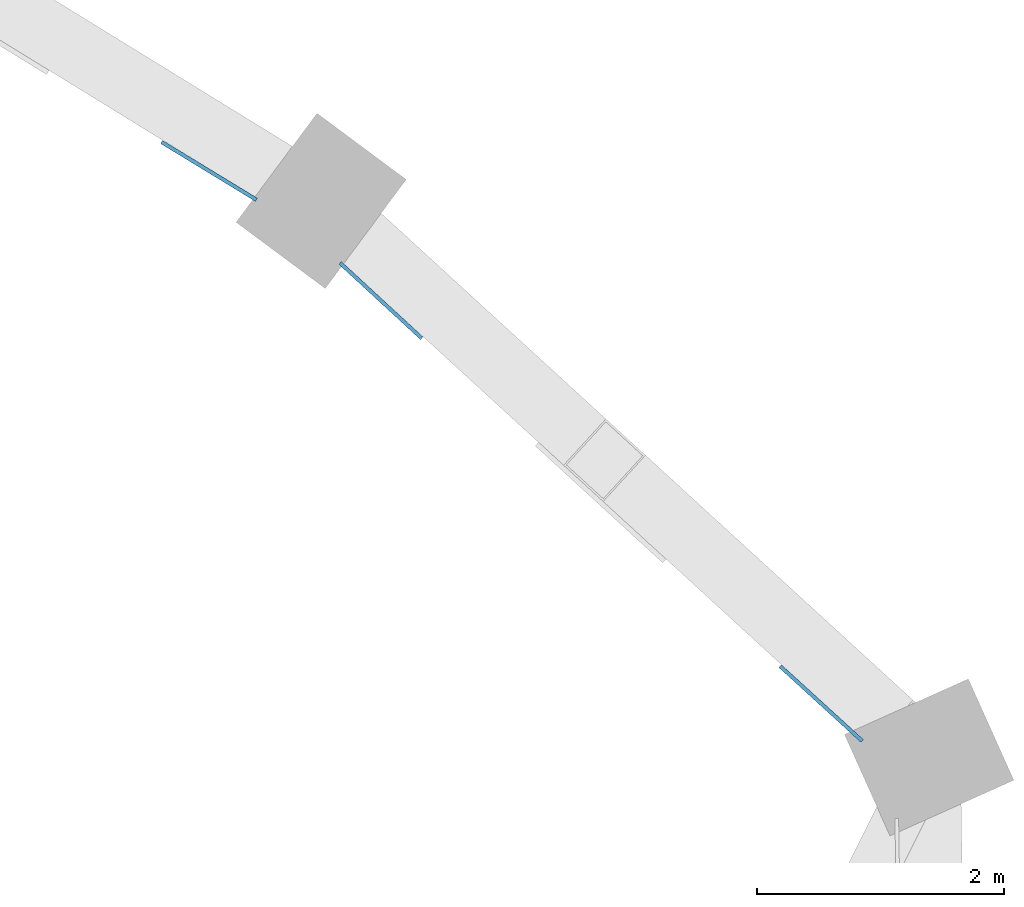
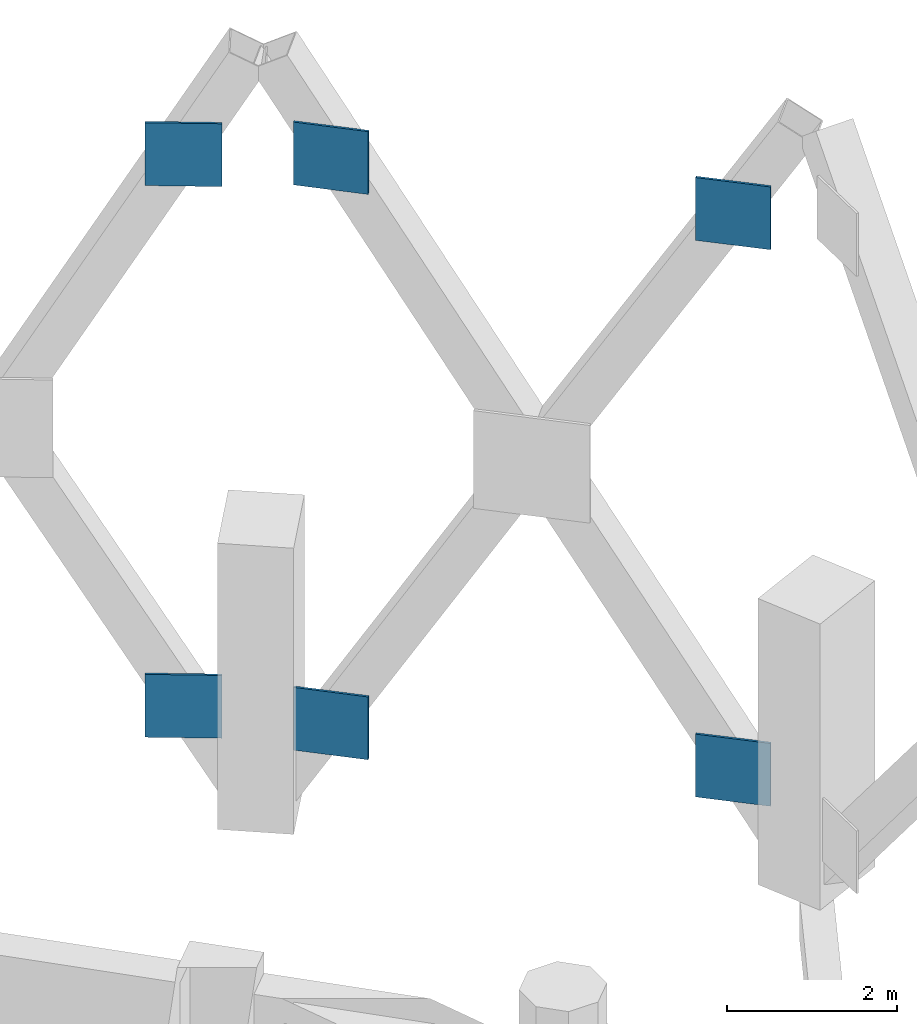
# One storey, part 8 of 17: 6 discrete accessories.
"""IFC4 building model written with IfcOpenShell, lengths in metres."""

from ifc_helpers import new_model, si_unit, direction, frame, origin, origin_2d, place, context, subcontext, project, spatial, rectangle, extrude, material, material_profile, profile_set, type_object, element, save


model = new_model("IFC4")

# Units and contexts
model_context = context("Model", 3, precision=1e-05, world=origin(), true_north=direction((0.0, 1.0)))
body_context = subcontext(model_context, "Body", "Model", "MODEL_VIEW")
ifc_project = project(units=[si_unit("LENGTHUNIT", "METRE"), si_unit("AREAUNIT", "SQUARE_METRE"), si_unit("VOLUMEUNIT", "CUBIC_METRE"), si_unit("PLANEANGLEUNIT", "RADIAN"), si_unit("MASSUNIT", "GRAM", prefix="KILO")], contexts=[model_context])

# Site, building, storey
site_placement = place(None, origin())
site = spatial("IfcSite", under=ifc_project, at=site_placement, CompositionType="ELEMENT")
building_placement = place(site_placement, origin())
building = spatial("IfcBuilding", under=site, at=building_placement, Name="Cypress Arch Tower", CompositionType="ELEMENT")
storey_placement = place(building_placement, frame((0.0, 0.0, 217.89990234375)))
storey = spatial("IfcBuildingStorey", under=building, at=storey_placement, Name="L48", CompositionType="ELEMENT", Elevation=217.89990234375)

# Discrete accessories
ifc_material = material(Name="Steel ASTM A992", Category="steel")
ifc_material_profile = material_profile(ifc_material, rectangle(XDim=0.89990234375, YDim=0.89990234375, at=origin_2d()), Name="PL 30 900x900")
ifc_profile_set = profile_set([ifc_material_profile], Name="Steel ASTM A992")
discrete_accessory_type = type_object("IfcDiscreteAccessoryType", Name="Gusset plate 900x900x30 Steel ASTM A992", PredefinedType="ANCHORPLATE", material=ifc_profile_set)
discrete_accessory_1_placement = place(storey_placement, frame((23.198974609375, 14.20654296875, 1.56298828125), z_axis=(-0.673884243496, -0.738836941664, 0.0), x_axis=(0.738836941664, -0.673884243496, 0.0)))
element("IfcDiscreteAccessory", 1, at=discrete_accessory_1_placement, inside=storey, type_object=discrete_accessory_type, Name="Gusset plate L48 CQ15-CQ16u0", PredefinedType="ANCHORPLATE", context=body_context, shape_type="SweptSolid", body=[
    extrude(rectangle(XDim=0.89990234375, YDim=0.89990234375, at=origin_2d()), origin(), (0.0, 0.0, 1.0), 0.030029296875),
])
discrete_accessory_2_placement = place(storey_placement, frame((19.63232421875, 17.470947265625, 9.60009765625), z_axis=(-0.677940786048, -0.735116514991, 0.0), x_axis=(0.735116514991, -0.677940786048, 0.0)))
element("IfcDiscreteAccessory", 2, at=discrete_accessory_2_placement, inside=storey, type_object=discrete_accessory_type, Name="Gusset plate L48 CQ15-CQ16u1", PredefinedType="ANCHORPLATE", context=body_context, shape_type="SweptSolid", body=[
    extrude(rectangle(XDim=0.89990234375, YDim=0.89990234375, at=origin_2d()), origin(), (0.0, 0.0, 1.0), 0.02978515625),
])
discrete_accessory_3_placement = place(storey_placement, frame((23.198974609375, 14.20654296875, 9.537353515625), z_axis=(-0.673884243496, -0.738836941664, 0.0), x_axis=(0.738836941664, -0.673884243496, 0.0)))
element("IfcDiscreteAccessory", 3, at=discrete_accessory_3_placement, inside=storey, type_object=discrete_accessory_type, Name="Gusset plate L48 CQ15-CQ16d0", PredefinedType="ANCHORPLATE", context=body_context, shape_type="SweptSolid", body=[
    extrude(rectangle(XDim=0.89990234375, YDim=0.89990234375, at=origin_2d()), origin(), (0.0, 0.0, 1.0), 0.030029296875),
])
discrete_accessory_4_placement = place(storey_placement, frame((19.63232421875, 17.470947265625, 1.500244140625), z_axis=(-0.677940786048, -0.735116514991, 0.0), x_axis=(0.735116514991, -0.677940786048, 0.0)))
element("IfcDiscreteAccessory", 4, at=discrete_accessory_4_placement, inside=storey, type_object=discrete_accessory_type, Name="Gusset plate L48 CQ15-CQ16d1", PredefinedType="ANCHORPLATE", context=body_context, shape_type="SweptSolid", body=[
    extrude(rectangle(XDim=0.89990234375, YDim=0.89990234375, at=origin_2d()), origin(), (0.0, 0.0, 1.0), 0.02978515625),
])
for number, where, z_axis, x_axis, name in (
    (5, (18.237060546875, 18.523681640625, 1.59814453125), (-0.520462828118, -0.853884327381, 0.0), (0.853884327381, -0.520462828118, 0.0), "Gusset plate L48 CQ16-CQ17u0"),
    (6, (18.237060546875, 18.523681640625, 9.502197265625), (-0.520462828118, -0.853884327381, 0.0), (0.853884327381, -0.520462828118, 0.0), "Gusset plate L48 CQ16-CQ17d0"),
):
    element("IfcDiscreteAccessory", number, at=place(storey_placement, frame(where, z_axis=z_axis, x_axis=x_axis)), inside=storey, type_object=discrete_accessory_type, Name=name, PredefinedType="ANCHORPLATE", context=body_context, shape_type="SweptSolid", body=[
        extrude(rectangle(XDim=0.89990234375, YDim=0.89990234375, at=origin_2d()), origin(), (0.0, 0.0, 1.0), 0.030029296875),
    ])

save(model, "model.ifc")
